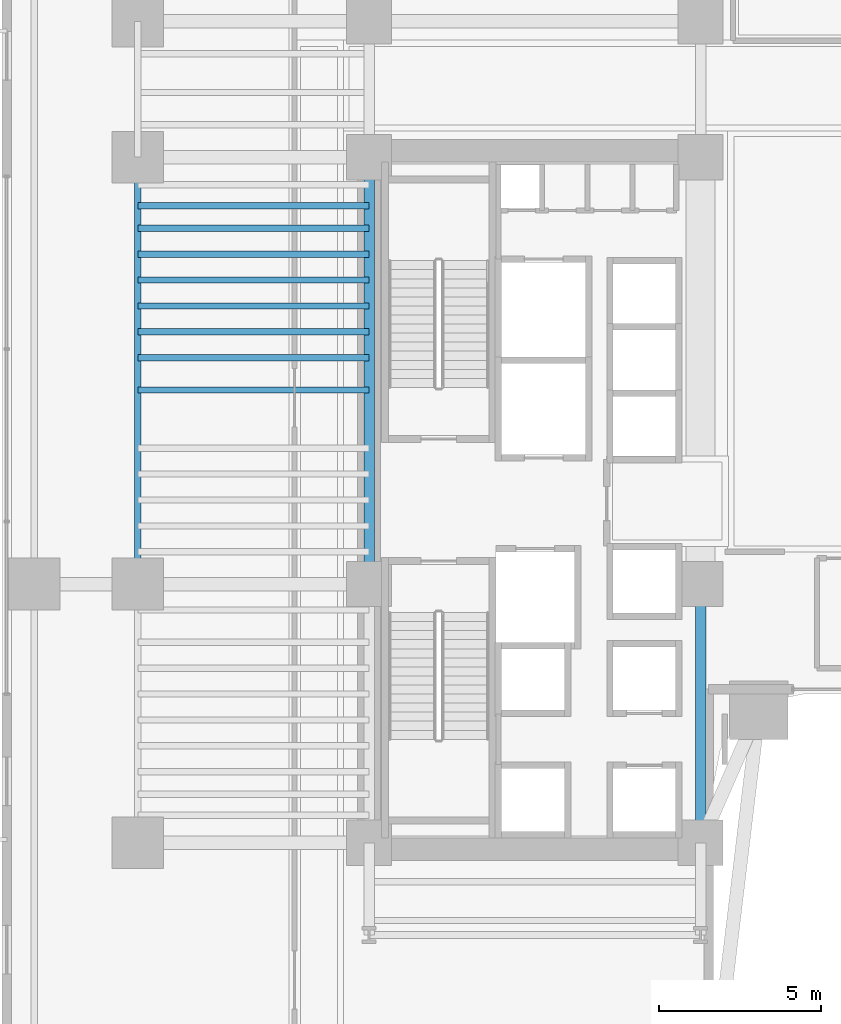
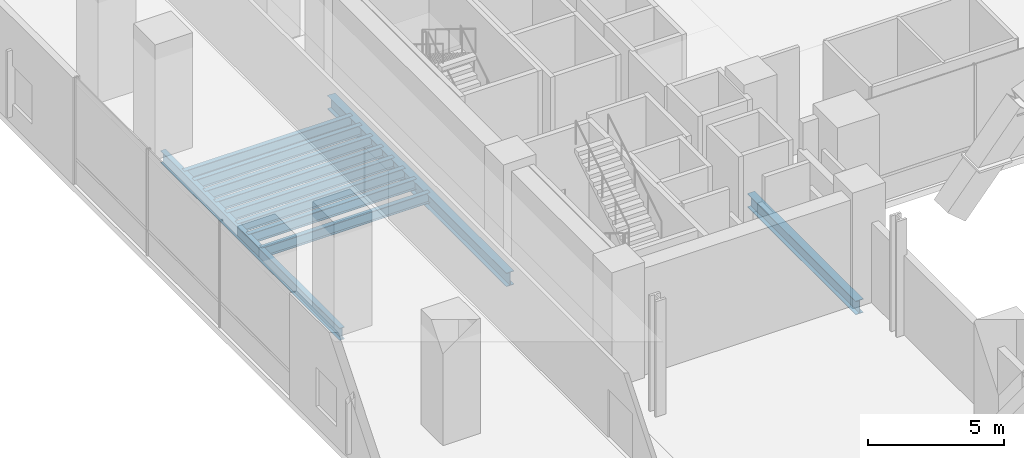
# One storey, part 5 of 39: 11 beams.
"""IFC4 building model written with IfcOpenShell, lengths in metres."""

from ifc_helpers import new_model, si_unit, direction, frame, origin, origin_2d, place, context, subcontext, project, spatial, i_section, extrude, source, transform, mapped, material, material_profile, profile_set, type_object, element, save


model = new_model("IFC4")

# Units and contexts
model_context = context("Model", 3, precision=1e-05, world=origin(), true_north=direction((0.0, 1.0)))
body_context = subcontext(model_context, "Body", "Model", "MODEL_VIEW")
ifc_project = project(units=[si_unit("LENGTHUNIT", "METRE"), si_unit("AREAUNIT", "SQUARE_METRE"), si_unit("VOLUMEUNIT", "CUBIC_METRE"), si_unit("PLANEANGLEUNIT", "RADIAN"), si_unit("MASSUNIT", "GRAM", prefix="KILO")], contexts=[model_context])

# Site, building, storey
site_placement = place(None, origin())
site = spatial("IfcSite", under=ifc_project, at=site_placement, CompositionType="ELEMENT")
building_placement = place(site_placement, origin())
building = spatial("IfcBuilding", under=site, at=building_placement, Name="Valdorenza Pilgrim Sanctuary Tower", CompositionType="ELEMENT")
storey_placement = place(building_placement, frame((0.0, 0.0, 15.60009765625)))
storey = spatial("IfcBuildingStorey", under=building, at=storey_placement, Name="L03", CompositionType="ELEMENT", Elevation=15.60009765625)

# Beams
ifc_material = material(Name="Steel ASTM A992 Grade 50", Category="steel")
ifc_material_profile_1 = material_profile(ifc_material, i_section(OverallWidth=0.323974609375, OverallDepth=0.611083984375, WebThickness=0.0126953125, FlangeThickness=0.01904296875, at=origin_2d()), Name="W24X104")
ifc_profile_set_1 = profile_set([ifc_material_profile_1], Name="Steel ASTM A992 Grade 50")
beam_type_1 = type_object("IfcBeamType", Name="STR-BM-GRD-W24B", PredefinedType="BEAM", material=ifc_profile_set_1)
shared_shape_1 = source(origin(), body_context, "Body", "SweptSolid", [
    extrude(i_section(OverallWidth=0.323974609375, OverallDepth=0.611083984375, WebThickness=0.0126953125, FlangeThickness=0.01904296875, at=origin_2d()), origin(), (0.0, 0.0, 1.0), 8.0),
])
beam_1_placement = place(storey_placement, frame((-12.39990234375, -10.60009765625, -0.585693359375), z_axis=(0.0, 1.0, 0.0), x_axis=(-1.0, 0.0, 0.0)))
element("IfcBeam", 1, at=beam_1_placement, inside=storey, type_object=beam_type_1, Name="L03 Core Tie Girder CA-E-S1M0", PredefinedType="BEAM", context=body_context, shape_type="MappedRepresentation", body=[
    mapped(shared_shape_1, transform((0.0, 0.0, 0.0), x_axis=(1.0, 0.0, 0.0), y_axis=(0.0, 1.0, 0.0), z_axis=(0.0, 0.0, 1.0), scale=1.0)),
])
ifc_material_profile_2 = material_profile(ifc_material, i_section(OverallWidth=0.214111328125, OverallDepth=0.549072265625, WebThickness=0.0146484375, FlangeThickness=0.023681640625, at=origin_2d()), Name="W21X93")
ifc_profile_set_2 = profile_set([ifc_material_profile_2], Name="Steel ASTM A992 Grade 50")
beam_type_2 = type_object("IfcBeamType", Name="STR-BM-SPN-W21A", PredefinedType="SPANDREL", material=ifc_profile_set_2)
shared_shape_2 = source(origin(), body_context, "Body", "SweptSolid", [
    extrude(i_section(OverallWidth=0.214111328125, OverallDepth=0.549072265625, WebThickness=0.0146484375, FlangeThickness=0.023681640625, at=origin_2d()), origin(), (0.0, 0.0, 1.0), 13.2001953125),
])
beam_2_placement = place(storey_placement, frame((-29.800048828125, -2.60009765625, -0.5546875), z_axis=(0.0, 1.0, 0.0), x_axis=(-1.0, 0.0, 0.0)))
element("IfcBeam", 2, at=beam_2_placement, inside=storey, type_object=beam_type_2, Name="L03 Spandrel Beam WA-W-M0N1", PredefinedType="SPANDREL", context=body_context, shape_type="MappedRepresentation", body=[
    mapped(shared_shape_2, transform((0.0, 0.0, 0.0), x_axis=(1.0, 0.0, 0.0), y_axis=(0.0, 1.0, 0.0), z_axis=(0.0, 0.0, 1.0), scale=1.0)),
])
shared_shape_3 = source(origin(), body_context, "Body", "SweptSolid", [
    extrude(i_section(OverallWidth=0.323974609375, OverallDepth=0.611083984375, WebThickness=0.0126953125, FlangeThickness=0.01904296875, at=origin_2d()), origin(), (0.0, 0.0, 1.0), 13.2001953125),
])
beam_3_placement = place(storey_placement, frame((-22.64990234375, -2.60009765625, -0.585693359375), z_axis=(0.0, 1.0, 0.0), x_axis=(-1.0, 0.0, 0.0)))
element("IfcBeam", 3, at=beam_3_placement, inside=storey, type_object=beam_type_1, Name="L03 Core Tie Girder CA-W-M0N1", PredefinedType="BEAM", context=body_context, shape_type="MappedRepresentation", body=[
    mapped(shared_shape_3, transform((0.0, 0.0, 0.0), x_axis=(1.0, 0.0, 0.0), y_axis=(0.0, 1.0, 0.0), z_axis=(0.0, 0.0, 1.0), scale=1.0)),
])
ifc_material_profile_3 = material_profile(ifc_material, i_section(OverallWidth=0.193115234375, OverallDepth=0.466064453125, WebThickness=0.011474609375, FlangeThickness=0.01904296875, at=origin_2d()), Name="W18X65")
ifc_profile_set_3 = profile_set([ifc_material_profile_3], Name="Steel ASTM A992 Grade 50")
beam_type_3 = type_object("IfcBeamType", Name="STR-BM-JST-W18A", PredefinedType="JOIST", material=ifc_profile_set_3)
shared_shape_4 = source(origin(), body_context, "Body", "SweptSolid", [
    extrude(i_section(OverallWidth=0.193115234375, OverallDepth=0.466064453125, WebThickness=0.011474609375, FlangeThickness=0.01904296875, at=origin_2d()), origin(), (0.0, 0.0, 1.0), 7.150146484375),
])
for number, where, z_axis, x_axis, name in (
    (4, (-29.800048828125, 3.39990234375, -0.51318359375), (1.0, 0.0, 0.0), (0.0, 1.0, 0.0), "L03 Composite Floor Joist JST-WA-15"),
    (5, (-29.800048828125, 4.39990234375, -0.51318359375), (1.0, 0.0, 0.0), (0.0, 1.0, 0.0), "L03 Composite Floor Joist JST-WA-16"),
    (6, (-29.800048828125, 5.199951171875, -0.51318359375), (1.0, 0.0, 0.0), (0.0, 1.0, 0.0), "L03 Composite Floor Joist JST-WA-17"),
    (7, (-29.800048828125, 6.0, -0.51318359375), (1.0, 0.0, 0.0), (0.0, 1.0, 0.0), "L03 Composite Floor Joist JST-WA-18"),
    (8, (-29.800048828125, 6.800048828125, -0.51318359375), (1.0, 0.0, 0.0), (0.0, 1.0, 0.0), "L03 Composite Floor Joist JST-WA-19"),
    (9, (-29.800048828125, 7.60009765625, -0.51318359375), (1.0, 0.0, 0.0), (0.0, 1.0, 0.0), "L03 Composite Floor Joist JST-WA-20"),
    (10, (-29.800048828125, 8.39990234375, -0.51318359375), (1.0, 0.0, 0.0), (0.0, 1.0, 0.0), "L03 Composite Floor Joist JST-WA-21"),
    (11, (-29.800048828125, 9.10009765625, -0.51318359375), (1.0, 0.0, 0.0), (0.0, 1.0, 0.0), "L03 Composite Floor Joist JST-WA-22"),
):
    element("IfcBeam", number, at=place(storey_placement, frame(where, z_axis=z_axis, x_axis=x_axis)), inside=storey, type_object=beam_type_3, Name=name, PredefinedType="JOIST", context=body_context, shape_type="MappedRepresentation", body=[
        mapped(shared_shape_4, transform((0.0, 0.0, 0.0), x_axis=(1.0, 0.0, 0.0), y_axis=(0.0, 1.0, 0.0), z_axis=(0.0, 0.0, 1.0), scale=1.0)),
    ])

save(model, "model.ifc")
